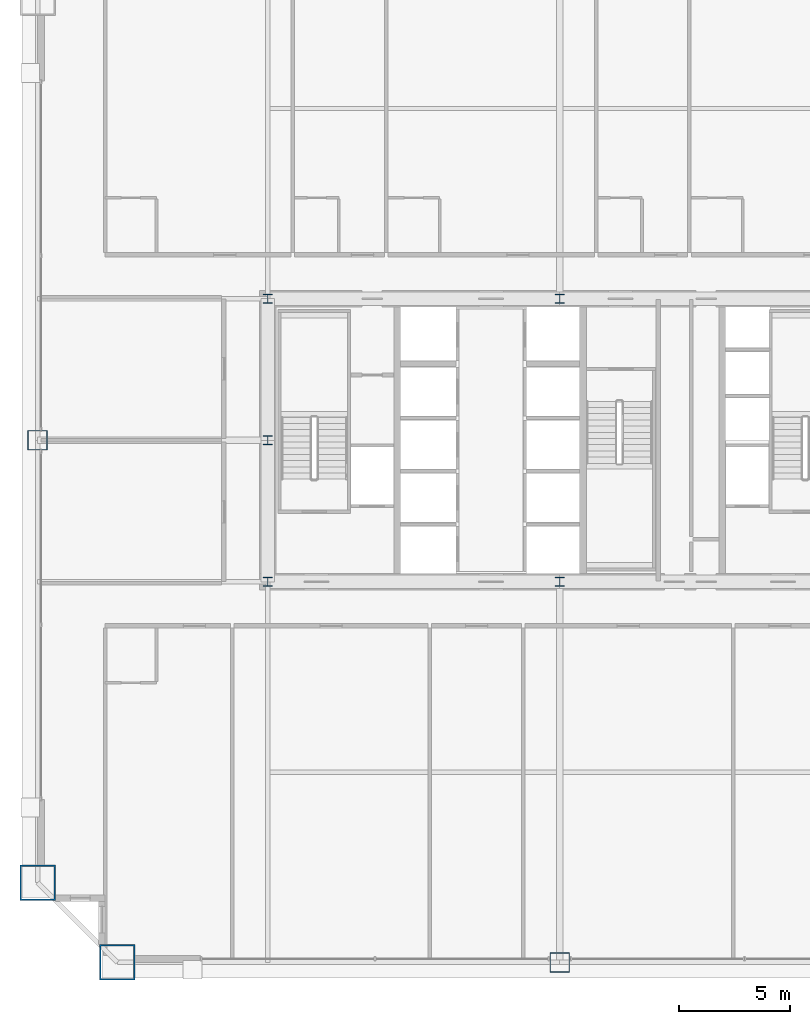
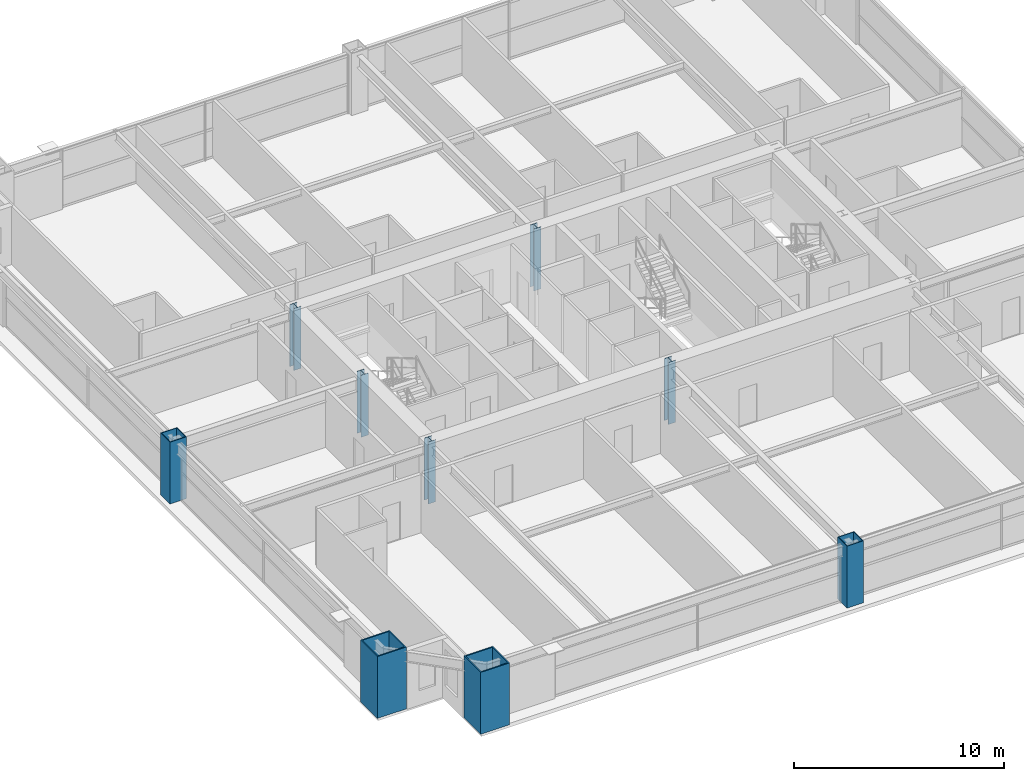
# One storey, part 1 of 39: 9 columns.
"""IFC4 building model written with IfcOpenShell, lengths in metres."""

from ifc_helpers import new_model, si_unit, direction, frame, origin, origin_2d, place, context, subcontext, project, spatial, hollow_rectangle, i_section, extrude, source, transform, mapped, material, material_profile, profile_set, type_object, element, save


model = new_model("IFC4")

# Units and contexts
model_context = context("Model", 3, precision=1e-05, world=origin(), true_north=direction((0.0, 1.0)))
body_context = subcontext(model_context, "Body", "Model", "MODEL_VIEW")
ifc_project = project(units=[si_unit("LENGTHUNIT", "METRE"), si_unit("AREAUNIT", "SQUARE_METRE"), si_unit("VOLUMEUNIT", "CUBIC_METRE"), si_unit("PLANEANGLEUNIT", "RADIAN"), si_unit("MASSUNIT", "GRAM", prefix="KILO"), si_unit("THERMODYNAMICTEMPERATUREUNIT", "KELVIN"), si_unit("POWERUNIT", "WATT")], contexts=[model_context])

# Site, building, storey
site_placement = place(None, origin())
site = spatial("IfcSite", under=ifc_project, at=site_placement, CompositionType="ELEMENT")
building_placement = place(site_placement, origin())
building = spatial("IfcBuilding", under=site, at=building_placement, Name="Yuzanri Waterfront Tower", CompositionType="ELEMENT")
storey_placement = place(building_placement, frame((0.0, 0.0, 148.800048828125)))
storey = spatial("IfcBuildingStorey", under=building, at=storey_placement, Name="L39", CompositionType="ELEMENT", Elevation=148.800048828125)

# Columns
ifc_material_1 = material(Name="Steel Q390GJC", Category="steel")
ifc_material_profile_1 = material_profile(ifc_material_1, hollow_rectangle(XDim=0.89990234375, YDim=0.89990234375, WallThickness=0.0419921875, at=origin_2d()), Name="RHS 900x900x42")
ifc_profile_set_1 = profile_set([ifc_material_profile_1], Name="Steel Q390GJC")
column_type_1 = type_object("IfcColumnType", Name="Frame Column Q390GJC RHS 900x900x42", PredefinedType="COLUMN", material=ifc_profile_set_1)
shared_shape_1 = source(origin(), body_context, "Body", "SweptSolid", [
    extrude(hollow_rectangle(XDim=0.89990234375, YDim=0.89990234375, WallThickness=0.0419921875, at=origin_2d()), origin(), (0.0, 0.0, 1.0), 3.599853515625),
])
for number, where, z_axis, x_axis, name in (
    (1, (37.0, 2.199951171875, 0.0), (0.0, 0.0, 1.0), (1.0, 0.0, 0.0), "L39 Perimeter Frame Column S2"),
    (2, (13.39990234375, 25.800048828125, 0.0), (0.0, 0.0, 1.0), (1.0, 0.0, 0.0), "L39 Perimeter Frame Column W2"),
):
    element("IfcColumn", number, at=place(storey_placement, frame(where, z_axis=z_axis, x_axis=x_axis)), inside=storey, type_object=column_type_1, Name=name, PredefinedType="COLUMN", context=body_context, shape_type="MappedRepresentation", body=[
        mapped(shared_shape_1, transform((0.0, 0.0, 0.0), scale=1.0)),
    ])
ifc_material_2 = material(Name="Steel Q420GJC", Category="steel")
ifc_material_profile_2 = material_profile(ifc_material_2, hollow_rectangle(XDim=1.60009765625, YDim=1.60009765625, WallThickness=0.070068359375, at=origin_2d()), Name="RHS 1600x1600x70")
ifc_profile_set_2 = profile_set([ifc_material_profile_2], Name="Steel Q420GJC")
column_type_2 = type_object("IfcColumnType", Name="Mega Column Q420GJC RHS 1600x1600x70", PredefinedType="COLUMN", material=ifc_profile_set_2)
shared_shape_2 = source(origin(), body_context, "Body", "SweptSolid", [
    extrude(hollow_rectangle(XDim=1.60009765625, YDim=1.60009765625, WallThickness=0.070068359375, at=origin_2d()), origin(), (0.0, 0.0, 1.0), 3.599853515625),
])
for number, where, z_axis, x_axis, name in (
    (3, (17.0, 2.199951171875, 0.0), (0.0, 0.0, 1.0), (1.0, 0.0, 0.0), "L39 Perimeter Mega Column S1"),
    (4, (13.39990234375, 5.800048828125, 0.0), (0.0, 0.0, 1.0), (1.0, 0.0, 0.0), "L39 Perimeter Mega Column W1"),
):
    element("IfcColumn", number, at=place(storey_placement, frame(where, z_axis=z_axis, x_axis=x_axis)), inside=storey, type_object=column_type_2, Name=name, PredefinedType="COLUMN", context=body_context, shape_type="MappedRepresentation", body=[
        mapped(shared_shape_2, transform((0.0, 0.0, 0.0), scale=1.0)),
    ])
ifc_material_3 = material(Name="Steel Q355B", Category="steel")
ifc_material_profile_3 = material_profile(ifc_material_3, i_section(OverallWidth=0.39990234375, OverallDepth=0.39990234375, WebThickness=0.012939453125, FlangeThickness=0.02099609375, at=origin_2d()), Name="HW 400x400x13x21")
ifc_profile_set_3 = profile_set([ifc_material_profile_3], Name="Steel Q355B")
column_type_3 = type_object("IfcColumnType", Name="Core Post Q355B HW 400x400x13x21", PredefinedType="COLUMN", material=ifc_profile_set_3)
shared_shape_3 = source(origin(), body_context, "Body", "SweptSolid", [
    extrude(i_section(OverallWidth=0.39990234375, OverallDepth=0.39990234375, WebThickness=0.012939453125, FlangeThickness=0.02099609375, at=origin_2d()), origin(), (0.0, 0.0, 1.0), 3.599853515625),
])
for number, where, z_axis, x_axis, name in (
    (5, (23.800048828125, 19.39990234375, 0.0), (0.0, 0.0, 1.0), (1.0, 0.0, 0.0), "L39 Core Boundary Column CP1"),
    (6, (37.0, 19.39990234375, 0.0), (0.0, 0.0, 1.0), (1.0, 0.0, 0.0), "L39 Core Boundary Column CP2"),
    (7, (23.800048828125, 25.800048828125, 0.0), (0.0, 0.0, 1.0), (1.0, 0.0, 0.0), "L39 Core Boundary Column CP4"),
    (8, (23.800048828125, 32.199951171875, 0.0), (0.0, 0.0, 1.0), (1.0, 0.0, 0.0), "L39 Core Boundary Column CP6"),
    (9, (37.0, 32.199951171875, 0.0), (0.0, 0.0, 1.0), (1.0, 0.0, 0.0), "L39 Core Boundary Column CP7"),
):
    element("IfcColumn", number, at=place(storey_placement, frame(where, z_axis=z_axis, x_axis=x_axis)), inside=storey, type_object=column_type_3, Name=name, PredefinedType="COLUMN", context=body_context, shape_type="MappedRepresentation", body=[
        mapped(shared_shape_3, transform((0.0, 0.0, 0.0), scale=1.0)),
    ])

save(model, "model.ifc")
